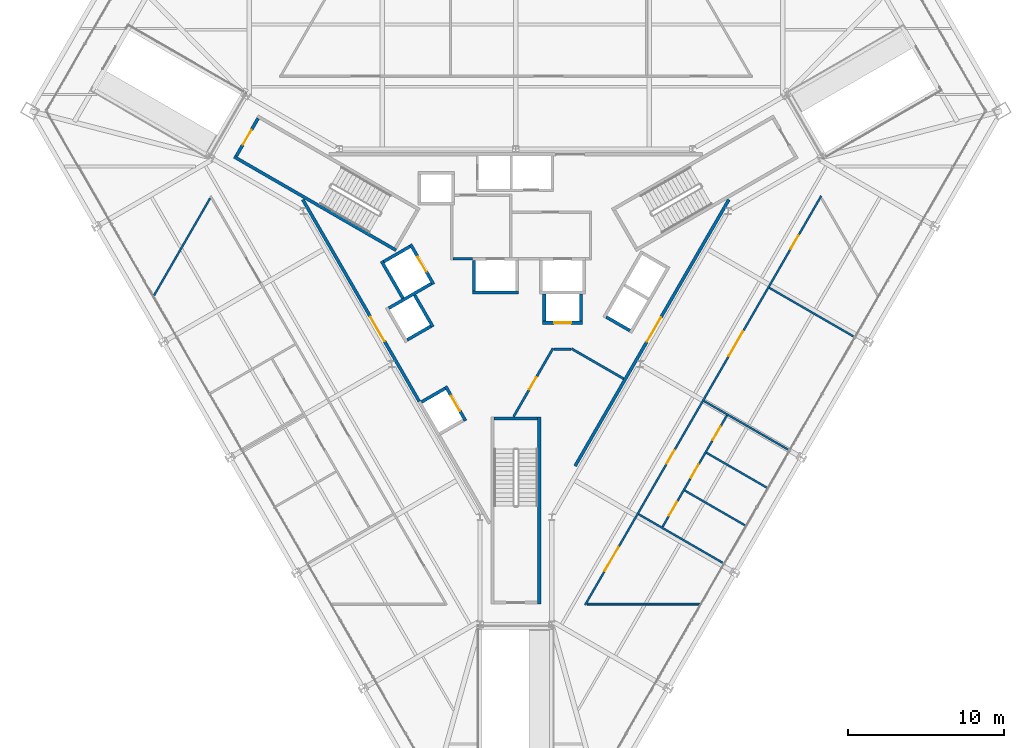
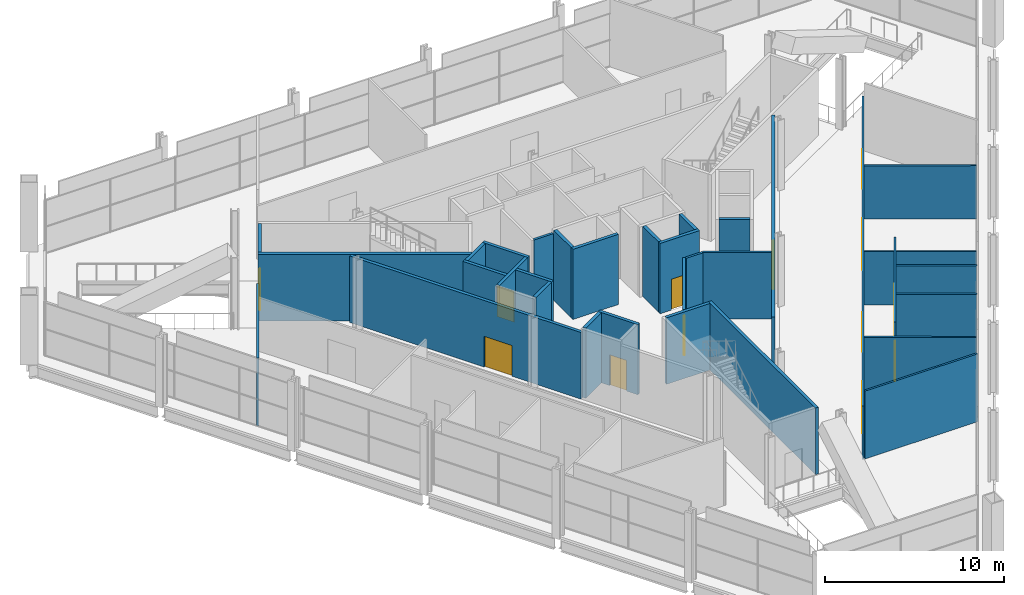
# One storey, part 13 of 18: 33 walls, 14 doors, 14 openings.
"""IFC4 building model written with IfcOpenShell, lengths in metres."""

from ifc_helpers import new_model, si_unit, direction, frame, frame_2d, origin, place, context, subcontext, project, spatial, rectangle, extrude, material, layer, layer_set, type_object, element, fill, save


model = new_model("IFC4")

# Units and contexts
model_context = context("Model", 3, precision=1e-05, world=origin(), true_north=direction((0.0, 1.0)))
body_context = subcontext(model_context, "Body", "Model", "MODEL_VIEW")
ifc_project = project(units=[si_unit("LENGTHUNIT", "METRE"), si_unit("AREAUNIT", "SQUARE_METRE"), si_unit("VOLUMEUNIT", "CUBIC_METRE"), si_unit("PLANEANGLEUNIT", "RADIAN"), si_unit("MASSUNIT", "GRAM", prefix="KILO")], contexts=[model_context])

# Site, building, storey
site_placement = place(None, origin())
site = spatial("IfcSite", under=ifc_project, at=site_placement, CompositionType="ELEMENT")
building_placement = place(site_placement, origin())
building = spatial("IfcBuilding", under=site, at=building_placement, Name="Verrane Prism Tower", CompositionType="ELEMENT")
storey_placement = place(building_placement, frame((0.0, 0.0, 27.199951171875)))
storey = spatial("IfcBuildingStorey", under=building, at=storey_placement, Name="L04", CompositionType="ELEMENT", Elevation=27.199951171875)

# Walls
ifc_material_1 = material(Name="Gypsum board partition", Category="other")
ifc_layer_1 = layer(ifc_material_1, 0.125)
ifc_layer_set_1 = layer_set([ifc_layer_1], Name="BW-125 demising wall 1 h")
wall_type_1 = type_object("IfcWallType", Name="BW-125 demising wall 1 h", PredefinedType="PARTITIONING", material=ifc_layer_set_1)
wall_1_placement = place(storey_placement, frame((16.257080078125, 0.292724609375, 0.0), z_axis=(0.0, 0.0, 1.0), x_axis=(0.866118237319, -0.499839173118, 0.0)))
element("IfcWall", 1, at=wall_1_placement, inside=storey, type_object=wall_type_1, Name="Demising wall 021", PredefinedType="PARTITIONING", context=body_context, shape_type="SweptSolid", body=[
    extrude(rectangle(XDim=6.33740234375, YDim=0.125, at=frame_2d((3.168701171875, 0.0))), origin(), (0.0, 0.0, 1.0), 3.653076171875),
])
ifc_material_2 = material(Name="Gypsum board partition", Category="other")
ifc_layer_2 = layer(ifc_material_2, 0.125)
ifc_layer_set_2 = layer_set([ifc_layer_2], Name="BW-125 plumbing wall")
wall_type_2 = type_object("IfcWallType", Name="BW-125 plumbing wall", PredefinedType="PARTITIONING", material=ifc_layer_set_2)
wall_2_placement = place(storey_placement, frame((7.875244140625, -14.226318359375, 0.0), z_axis=(0.0, 0.0, 1.0), x_axis=(0.866003371142, -0.500038159714, 0.0)))
element("IfcWall", 2, at=wall_2_placement, inside=storey, type_object=wall_type_2, Name="Plumbing wall 014", PredefinedType="PARTITIONING", context=body_context, shape_type="SweptSolid", body=[
    extrude(rectangle(XDim=6.3369140625, YDim=0.125, at=frame_2d((3.16845703125, 0.0))), origin(), (0.0, 0.0, 1.0), 3.653076171875),
])

# Wall, openings, doors
wall_3_placement = place(storey_placement, frame((13.539794921875, -7.88916015625, 0.0), z_axis=(0.0, 0.0, 1.0), x_axis=(-0.500033134207, -0.866006272896, 0.0)))
wall_3 = element("IfcWall", 3, at=wall_3_placement, inside=storey, type_object=wall_type_2, Name="Plumbing wall 016", PredefinedType="PARTITIONING", context=body_context, shape_type="SweptSolid", body=[
    extrude(rectangle(XDim=8.25341796875, YDim=0.125, at=frame_2d((4.126708984375, 0.0))), origin(), (0.0, 0.0, 1.0), 4.64013671875),
])
opening_1_placement = place(wall_3_placement, frame((6.4208984375, 0.0, 0.0)))
opening_1 = element("IfcOpeningElement", 4, at=opening_1_placement, cuts=wall_3, Name="Opening D04012", PredefinedType="OPENING", context=body_context, shape_type="SweptSolid", body=[
    extrude(rectangle(XDim=1.0, YDim=2.10009765625, at=frame_2d((0.5, 1.050048828125))), frame((0.0, 0.072509765625, 0.0), z_axis=(0.0, -1.0, 0.0), x_axis=(1.0, 0.0, 0.0)), (0.0, 0.0, 1.0), 0.14501953125),
])
opening_2_placement = place(wall_3_placement, frame((3.626953125, 0.0, 0.0)))
opening_2 = element("IfcOpeningElement", 5, at=opening_2_placement, cuts=wall_3, Name="Opening D04013", PredefinedType="OPENING", context=body_context, shape_type="SweptSolid", body=[
    extrude(rectangle(XDim=1.0, YDim=2.10009765625, at=frame_2d((0.5, 1.050048828125))), frame((0.0, 0.072509765625, 0.0), z_axis=(0.0, -1.0, 0.0), x_axis=(1.0, 0.0, 0.0)), (0.0, 0.0, 1.0), 0.14501953125),
])
opening_3_placement = place(wall_3_placement, frame((0.831787109375, 0.0, 0.0)))
opening_3 = element("IfcOpeningElement", 6, at=opening_3_placement, cuts=wall_3, Name="Opening D04014", PredefinedType="OPENING", context=body_context, shape_type="SweptSolid", body=[
    extrude(rectangle(XDim=1.0, YDim=2.10009765625, at=frame_2d((0.5, 1.050048828125))), frame((0.0, 0.072509765625, 0.0), z_axis=(0.0, -1.0, 0.0), x_axis=(1.0, 0.0, 0.0)), (0.0, 0.0, 1.0), 0.14501953125),
])
ifc_material_3 = material(Name="Timber veneered door leaf", Category="wood")
door_type_1 = type_object("IfcDoorType", Name="DR-1000x2100 single leaf room", OperationType="NOTDEFINED", PredefinedType="DOOR", material=ifc_material_3)
door_1_placement = place(opening_1_placement, origin())
door_1 = element("IfcDoor", 7, at=door_1_placement, inside=storey, type_object=door_type_1, Name="Door Men's WC 04SE", OperationType="SINGLE_SWING_LEFT", OverallHeight=2.10009765625, OverallWidth=1.0, PredefinedType="DOOR", context=body_context, shape_type="SweptSolid", body=[
    extrude(rectangle(XDim=1.0, YDim=2.10009765625, at=frame_2d((0.5, 1.050048828125))), frame((0.0, 0.02490234375, 0.0), z_axis=(0.0, -1.0, 0.0), x_axis=(1.0, 0.0, 0.0)), (0.0, 0.0, 1.0), 0.050048828125),
])
fill(opening_1, door_1)
door_2_placement = place(opening_2_placement, origin())
door_2 = element("IfcDoor", 8, at=door_2_placement, inside=storey, type_object=door_type_1, Name="Door Women's WC 04SE", OperationType="SINGLE_SWING_RIGHT", OverallHeight=2.10009765625, OverallWidth=1.0, PredefinedType="DOOR", context=body_context, shape_type="SweptSolid", body=[
    extrude(rectangle(XDim=1.0, YDim=2.10009765625, at=frame_2d((0.5, 1.050048828125))), frame((0.0, 0.02490234375, 0.0), z_axis=(0.0, -1.0, 0.0), x_axis=(1.0, 0.0, 0.0)), (0.0, 0.0, 1.0), 0.050048828125),
])
fill(opening_2, door_2)
door_3_placement = place(opening_3_placement, origin())
door_3 = element("IfcDoor", 9, at=door_3_placement, inside=storey, type_object=door_type_1, Name="Door Accessible WC 04SE", OperationType="SINGLE_SWING_LEFT", OverallHeight=2.10009765625, OverallWidth=1.0, PredefinedType="DOOR", context=body_context, shape_type="SweptSolid", body=[
    extrude(rectangle(XDim=1.0, YDim=2.10009765625, at=frame_2d((0.5, 1.050048828125))), frame((0.0, 0.02490234375, 0.0), z_axis=(0.0, -1.0, 0.0), x_axis=(1.0, 0.0, 0.0)), (0.0, 0.0, 1.0), 0.050048828125),
])
fill(opening_3, door_3)

# Walls
wall_4_placement = place(storey_placement, frame((10.83447265625, -12.708740234375, 0.0), z_axis=(0.0, 0.0, 1.0), x_axis=(0.866030417568, -0.499991315771, 0.0)))
element("IfcWall", 10, at=wall_4_placement, inside=storey, type_object=wall_type_2, Name="Plumbing wall 017", PredefinedType="PARTITIONING", context=body_context, shape_type="SweptSolid", body=[
    extrude(rectangle(XDim=4.53271484375, YDim=0.125, at=frame_2d((2.266357421875, 0.0))), origin(), (0.0, 0.0, 1.0), 4.64013671875),
])
wall_5_placement = place(storey_placement, frame((12.066162109375, -6.96630859375, 0.0), z_axis=(0.0, 0.0, 1.0), x_axis=(0.86604189602, -0.499971433522, 0.0)))
element("IfcWall", 11, at=wall_5_placement, inside=storey, type_object=wall_type_2, Name="Plumbing wall 019", PredefinedType="PARTITIONING", context=body_context, shape_type="SweptSolid", body=[
    extrude(rectangle(XDim=6.337646484375, YDim=0.125, at=frame_2d((3.1689453125, 0.0))), origin(), (0.0, 0.0, 1.0), 3.653076171875),
])
wall_6_placement = place(storey_placement, frame((12.22802734375, -10.286376953125, 0.0), z_axis=(0.0, 0.0, 1.0), x_axis=(0.866009042838, -0.50002833692, 0.0)))
element("IfcWall", 12, at=wall_6_placement, inside=storey, type_object=wall_type_2, Name="Plumbing wall 020", PredefinedType="PARTITIONING", context=body_context, shape_type="SweptSolid", body=[
    extrude(rectangle(XDim=4.536865234375, YDim=0.125, at=frame_2d((2.2685546875, 0.0))), origin(), (0.0, 0.0, 1.0), 4.64013671875),
])
ifc_material_4 = material(Name="Gypsum board partition", Category="other")
ifc_layer_3 = layer(ifc_material_4, 0.125)
ifc_layer_set_3 = layer_set([ifc_layer_3], Name="BW-125 shopfront wall 1 h")
wall_type_3 = type_object("IfcWallType", Name="BW-125 shopfront wall 1 h", PredefinedType="PARTITIONING", material=ifc_layer_set_3)
wall_7_placement = place(storey_placement, frame((-23.25, -0.27001953125, 0.0), z_axis=(0.0, 0.0, 1.0), x_axis=(0.500002873931, 0.866023744513, 0.0)))
element("IfcWall", 13, at=wall_7_placement, inside=storey, type_object=wall_type_3, Name="Shopfront wall 001", PredefinedType="PARTITIONING", context=body_context, shape_type="SweptSolid", body=[
    extrude(rectangle(XDim=7.28515625, YDim=0.125, at=frame_2d((3.642578125, 0.0))), origin(), (0.0, 0.0, 1.0), 4.64013671875),
])
wall_8_placement = place(storey_placement, frame((4.573974609375, -20.0, 0.0), z_axis=(0.0, 0.0, 1.0), x_axis=(1.0, 0.0, 0.0)))
element("IfcWall", 14, at=wall_8_placement, inside=storey, type_object=wall_type_3, Name="Shopfront wall 012", PredefinedType="PARTITIONING", context=body_context, shape_type="SweptSolid", body=[
    extrude(rectangle(XDim=7.284912109375, YDim=0.125, at=frame_2d((3.642578125, 0.0))), origin(), (0.0, 0.0, 1.0), 4.64013671875),
])

# Wall, openings, doors
wall_9_placement = place(storey_placement, frame((19.586181640625, 6.18408203125, 0.0), z_axis=(0.0, 0.0, 1.0), x_axis=(-0.499994028088, -0.866028851642, 0.0)))
wall_9 = element("IfcWall", 15, at=wall_9_placement, inside=storey, type_object=wall_type_3, Name="Shopfront wall 013", PredefinedType="PARTITIONING", context=body_context, shape_type="SweptSolid", body=[
    extrude(rectangle(XDim=30.297119140625, YDim=0.125, at=frame_2d((15.1484375, 0.0))), origin(), (0.0, 0.0, 1.0), 3.653076171875),
])
opening_4_placement = place(wall_9_placement, frame((25.98486328125, 0.0, 0.0)))
opening_4 = element("IfcOpeningElement", 16, at=opening_4_placement, cuts=wall_9, Name="Opening D04010", PredefinedType="OPENING", context=body_context, shape_type="SweptSolid", body=[
    extrude(rectangle(XDim=1.800048828125, YDim=2.39990234375, at=frame_2d((0.89990234375, 1.199951171875))), frame((0.0, 0.072509765625, 0.0), z_axis=(0.0, -1.0, 0.0), x_axis=(1.0, 0.0, 0.0)), (0.0, 0.0, 1.0), 0.14501953125),
])
opening_5_placement = place(wall_9_placement, frame((18.831787109375, 0.0, 0.0)))
opening_5 = element("IfcOpeningElement", 17, at=opening_5_placement, cuts=wall_9, Name="Opening D04011", PredefinedType="OPENING", context=body_context, shape_type="SweptSolid", body=[
    extrude(rectangle(XDim=1.0, YDim=2.10009765625, at=frame_2d((0.5, 1.050048828125))), frame((0.0, 0.072509765625, 0.0), z_axis=(0.0, -1.0, 0.0), x_axis=(1.0, 0.0, 0.0)), (0.0, 0.0, 1.0), 0.14501953125),
])
opening_6_placement = place(wall_9_placement, frame((10.048828125, 0.0, 0.0)))
opening_6 = element("IfcOpeningElement", 18, at=opening_6_placement, cuts=wall_9, Name="Opening D04015", PredefinedType="OPENING", context=body_context, shape_type="SweptSolid", body=[
    extrude(rectangle(XDim=1.800048828125, YDim=2.39990234375, at=frame_2d((0.89990234375, 1.199951171875))), frame((0.0, 0.072509765625, 0.0), z_axis=(0.0, -1.0, 0.0), x_axis=(1.0, 0.0, 0.0)), (0.0, 0.0, 1.0), 0.14501953125),
])
opening_7_placement = place(wall_9_placement, frame((2.916748046875, 0.0, 0.0)))
opening_7 = element("IfcOpeningElement", 19, at=opening_7_placement, cuts=wall_9, Name="Opening D04016", PredefinedType="OPENING", context=body_context, shape_type="SweptSolid", body=[
    extrude(rectangle(XDim=1.0, YDim=2.10009765625, at=frame_2d((0.5, 1.050048828125))), frame((0.0, 0.072509765625, 0.0), z_axis=(0.0, -1.0, 0.0), x_axis=(1.0, 0.0, 0.0)), (0.0, 0.0, 1.0), 0.14501953125),
])
ifc_material_5 = material(Name="Timber veneered door leaf", Category="wood")
door_type_2 = type_object("IfcDoorType", Name="DR-1000x2100 FD20 single leaf shopfront", OperationType="NOTDEFINED", PredefinedType="DOOR", material=ifc_material_5)
door_4_placement = place(opening_7_placement, origin())
door_4 = element("IfcDoor", 20, at=door_4_placement, inside=storey, type_object=door_type_2, Name="Door Store Room 0408", OperationType="SINGLE_SWING_LEFT", OverallHeight=2.10009765625, OverallWidth=1.0, PredefinedType="DOOR", context=body_context, shape_type="SweptSolid", body=[
    extrude(rectangle(XDim=1.0, YDim=2.10009765625, at=frame_2d((0.5, 1.050048828125))), frame((0.0, 0.02490234375, 0.0), z_axis=(0.0, -1.0, 0.0), x_axis=(1.0, 0.0, 0.0)), (0.0, 0.0, 1.0), 0.050048828125),
])
fill(opening_7, door_4)
ifc_material_6 = material(Name="Timber veneered door leaf", Category="wood")
door_type_3 = type_object("IfcDoorType", Name="DR-1000x2100 FD20 single leaf wc lobby", OperationType="NOTDEFINED", PredefinedType="DOOR", material=ifc_material_6)
door_5_placement = place(opening_5_placement, origin())
door_5 = element("IfcDoor", 21, at=door_5_placement, inside=storey, type_object=door_type_3, Name="Door WC Lobby 04SE", OperationType="SINGLE_SWING_RIGHT", OverallHeight=2.10009765625, OverallWidth=1.0, PredefinedType="DOOR", context=body_context, shape_type="SweptSolid", body=[
    extrude(rectangle(XDim=1.0, YDim=2.10009765625, at=frame_2d((0.5, 1.050048828125))), frame((0.0, 0.02490234375, 0.0), z_axis=(0.0, -1.0, 0.0), x_axis=(1.0, 0.0, 0.0)), (0.0, 0.0, 1.0), 0.050048828125),
])
fill(opening_5, door_5)
ifc_material_7 = material(Name="Aluminium and glass door leaf", Category="aluminium")
door_type_4 = type_object("IfcDoorType", Name="DR-1800x2400 FD20 double leaf shopfront", OperationType="NOTDEFINED", PredefinedType="DOOR", material=ifc_material_7)
door_6_placement = place(opening_4_placement, origin())
door_6 = element("IfcDoor", 22, at=door_6_placement, inside=storey, type_object=door_type_4, Name="Door Restaurant 0406", OperationType="DOUBLE_DOOR_SINGLE_SWING", OverallHeight=2.39990234375, OverallWidth=1.800048828125, PredefinedType="DOOR", context=body_context, shape_type="SweptSolid", body=[
    extrude(rectangle(XDim=1.800048828125, YDim=2.39990234375, at=frame_2d((0.89990234375, 1.199951171875))), frame((0.0, 0.02490234375, 0.0), z_axis=(0.0, -1.0, 0.0), x_axis=(1.0, 0.0, 0.0)), (0.0, 0.0, 1.0), 0.050048828125),
])
fill(opening_4, door_6)
door_7_placement = place(opening_6_placement, origin())
door_7 = element("IfcDoor", 23, at=door_7_placement, inside=storey, type_object=door_type_4, Name="Door Restaurant 0407", OperationType="DOUBLE_DOOR_SINGLE_SWING", OverallHeight=2.39990234375, OverallWidth=1.800048828125, PredefinedType="DOOR", context=body_context, shape_type="SweptSolid", body=[
    extrude(rectangle(XDim=1.800048828125, YDim=2.39990234375, at=frame_2d((0.89990234375, 1.199951171875))), frame((0.0, 0.02490234375, 0.0), z_axis=(0.0, -1.0, 0.0), x_axis=(1.0, 0.0, 0.0)), (0.0, 0.0, 1.0), 0.050048828125),
])
fill(opening_6, door_7)

# Wall, opening, door
ifc_material_8 = material(Name="Gypsum board partition", Category="other")
ifc_layer_4 = layer(ifc_material_8, 0.199951171875)
ifc_layer_set_4 = layer_set([ifc_layer_4], Name="CW-200 core boundary wall 2 h")
wall_type_4 = type_object("IfcWallType", Name="CW-200 core boundary wall 2 h", PredefinedType="PARTITIONING", material=ifc_layer_set_4)
wall_10_placement = place(storey_placement, frame((-13.666015625, 5.950439453125, 0.0), z_axis=(0.0, 0.0, 1.0), x_axis=(0.499971736997, -0.866041720822, 0.0)))
wall_10 = element("IfcWall", 24, at=wall_10_placement, inside=storey, type_object=wall_type_4, Name="Core boundary wall CW3-001", PredefinedType="PARTITIONING", context=body_context, shape_type="SweptSolid", body=[
    extrude(rectangle(XDim=14.948974609375, YDim=0.199951171875, at=frame_2d((7.474609375, 0.0))), origin(), (0.0, 0.0, 1.0), 4.550048828125),
])
opening_8_placement = place(wall_10_placement, frame((8.68994140625, 0.0, 0.0)))
opening_8 = element("IfcOpeningElement", 25, at=opening_8_placement, cuts=wall_10, Name="Opening D04508", PredefinedType="OPENING", context=body_context, shape_type="SweptSolid", body=[
    extrude(rectangle(XDim=1.800048828125, YDim=2.10009765625, at=frame_2d((0.89990234375, 1.050048828125))), frame((0.0, 0.10986328125, 0.0), z_axis=(0.0, -1.0, 0.0), x_axis=(1.0, 0.0, 0.0)), (0.0, 0.0, 1.0), 0.219970703125),
])
ifc_material_9 = material(Name="Timber veneered door leaf", Category="wood")
door_type_5 = type_object("IfcDoorType", Name="DR-1800x2100 FD60 double leaf lift lobby", OperationType="NOTDEFINED", PredefinedType="DOOR", material=ifc_material_9)
door_8_placement = place(opening_8_placement, origin())
door_8 = element("IfcDoor", 26, at=door_8_placement, inside=storey, type_object=door_type_5, Name="Lift lobby door D04508", OperationType="DOUBLE_DOOR_SINGLE_SWING", OverallHeight=2.10009765625, OverallWidth=1.800048828125, PredefinedType="DOOR", context=body_context, shape_type="SweptSolid", body=[
    extrude(rectangle(XDim=1.800048828125, YDim=2.10009765625, at=frame_2d((0.89990234375, 1.050048828125))), frame((0.0, 0.02490234375, 0.0), z_axis=(0.0, -1.0, 0.0), x_axis=(1.0, 0.0, 0.0)), (0.0, 0.0, 1.0), 0.050048828125),
])
fill(opening_8, door_8)

wall_11_placement = place(storey_placement, frame((3.802978515625, -11.133056640625, 0.0), z_axis=(0.0, 0.0, 1.0), x_axis=(0.499995287022, 0.866028124807, 0.0)))
wall_11 = element("IfcWall", 27, at=wall_11_placement, inside=storey, type_object=wall_type_4, Name="Core boundary wall CW3-004", PredefinedType="PARTITIONING", context=body_context, shape_type="SweptSolid", body=[
    extrude(rectangle(XDim=19.726318359375, YDim=0.199951171875, at=frame_2d((9.86328125, 0.0))), origin(), (0.0, 0.0, 1.0), 4.550048828125),
])
opening_9_placement = place(wall_11_placement, frame((9.199951171875, 0.0, 0.0)))
opening_9 = element("IfcOpeningElement", 28, at=opening_9_placement, cuts=wall_11, Name="Opening D04515", PredefinedType="OPENING", context=body_context, shape_type="SweptSolid", body=[
    extrude(rectangle(XDim=1.800048828125, YDim=2.10009765625, at=frame_2d((0.89990234375, 1.050048828125))), frame((0.0, 0.10986328125, 0.0), z_axis=(0.0, -1.0, 0.0), x_axis=(1.0, 0.0, 0.0)), (0.0, 0.0, 1.0), 0.219970703125),
])
door_9_placement = place(opening_9_placement, origin())
door_9 = element("IfcDoor", 29, at=door_9_placement, inside=storey, type_object=door_type_5, Name="Lift lobby door D04515", OperationType="DOUBLE_DOOR_SINGLE_SWING", OverallHeight=2.10009765625, OverallWidth=1.800048828125, PredefinedType="DOOR", context=body_context, shape_type="SweptSolid", body=[
    extrude(rectangle(XDim=1.800048828125, YDim=2.10009765625, at=frame_2d((0.89990234375, 1.050048828125))), frame((0.0, 0.02490234375, 0.0), z_axis=(0.0, -1.0, 0.0), x_axis=(1.0, 0.0, 0.0)), (0.0, 0.0, 1.0), 0.050048828125),
])
fill(opening_9, door_9)

ifc_material_10 = material(Name="Concrete C40/50", Category="concrete")
ifc_layer_5 = layer(ifc_material_10, 0.199951171875)
ifc_layer_set_5 = layer_set([ifc_layer_5], Name="CW-200 stair core wall concrete C40/50 3 h")
wall_type_5 = type_object("IfcWallType", Name="CW-200 stair core wall concrete C40/50 3 h", PredefinedType="PARTITIONING", material=ifc_layer_set_5)
wall_12_placement = place(storey_placement, frame((-16.533935546875, 11.162353515625, 0.0), z_axis=(0.0, 0.0, 1.0), x_axis=(-0.49998411664, -0.866034573852, 0.0)))
wall_12 = element("IfcWall", 30, at=wall_12_placement, inside=storey, type_object=wall_type_5, Name="Stair 2 enclosure wall", PredefinedType="PARTITIONING", context=body_context, shape_type="SweptSolid", body=[
    extrude(rectangle(XDim=2.7998046875, YDim=0.199951171875, at=frame_2d((1.39990234375, 0.0))), origin(), (0.0, 0.0, 1.0), 4.550048828125),
])
opening_10_placement = place(wall_12_placement, frame((0.849853515625, 0.0, 0.0)))
opening_10 = element("IfcOpeningElement", 31, at=opening_10_placement, cuts=wall_12, Name="Opening D04501", PredefinedType="OPENING", context=body_context, shape_type="SweptSolid", body=[
    extrude(rectangle(XDim=1.10009765625, YDim=2.10009765625, at=frame_2d((0.550048828125, 1.050048828125))), frame((0.0, 0.10986328125, 0.0), z_axis=(0.0, -1.0, 0.0), x_axis=(1.0, 0.0, 0.0)), (0.0, 0.0, 1.0), 0.219970703125),
])
ifc_material_11 = material(Name="Timber veneered door leaf", Category="wood")
door_type_6 = type_object("IfcDoorType", Name="DR-1100x2100 FD90 single leaf stair", OperationType="NOTDEFINED", PredefinedType="DOOR", material=ifc_material_11)
door_10_placement = place(opening_10_placement, origin())
door_10 = element("IfcDoor", 32, at=door_10_placement, inside=storey, type_object=door_type_6, Name="Stair 2 door", OperationType="SINGLE_SWING_RIGHT", OverallHeight=2.10009765625, OverallWidth=1.10009765625, PredefinedType="DOOR", context=body_context, shape_type="SweptSolid", body=[
    extrude(rectangle(XDim=1.10009765625, YDim=2.10009765625, at=frame_2d((0.550048828125, 1.050048828125))), frame((0.0, 0.02490234375, 0.0), z_axis=(0.0, -1.0, 0.0), x_axis=(1.0, 0.0, 0.0)), (0.0, 0.0, 1.0), 0.050048828125),
])
fill(opening_10, door_10)

# Walls
for number, where, z_axis, x_axis, name in (
    (33, (-7.67822265625, 2.700927734375, 0.0), (0.0, 0.0, 1.0), (-0.866026010844, 0.49999894854, 0.0), "Stair 2 enclosure wall"),
    (34, (1.5, -8.0, 0.0), (0.0, 0.0, 1.0), (0.0, -1.0, 0.0), "Stair 3 enclosure wall"),
):
    element("IfcWall", number, at=place(storey_placement, frame(where, z_axis=z_axis, x_axis=x_axis)), inside=storey, type_object=wall_type_5, Name=name, PredefinedType="PARTITIONING", context=body_context, shape_type="SweptSolid", body=[
        extrude(rectangle(XDim=12.0, YDim=0.199951171875, at=frame_2d((6.0, 0.0))), origin(), (0.0, 0.0, 1.0), 4.550048828125),
    ])
wall_13_placement = place(storey_placement, frame((-1.39990234375, -8.10009765625, 0.0), z_axis=(0.0, 0.0, 1.0), x_axis=(1.0, 0.0, 0.0)))
element("IfcWall", 35, at=wall_13_placement, inside=storey, type_object=wall_type_5, Name="Stair 3 enclosure wall", PredefinedType="PARTITIONING", context=body_context, shape_type="SweptSolid", body=[
    extrude(rectangle(XDim=2.7998046875, YDim=0.199951171875, at=frame_2d((1.39990234375, 0.0))), origin(), (0.0, 0.0, 1.0), 4.550048828125),
])

# Wall, opening, door
ifc_material_12 = material(Name="Gypsum board shaft wall assembly", Category="other")
ifc_layer_6 = layer(ifc_material_12, 0.199951171875)
ifc_layer_set_6 = layer_set([ifc_layer_6], Name="HW-200 lift shaft wall 2 h")
wall_type_6 = type_object("IfcWallType", Name="HW-200 lift shaft wall 2 h", PredefinedType="PARTITIONING", material=ifc_layer_set_6)
wall_14_placement = place(storey_placement, frame((1.72509765625, -1.949951171875, 0.0), z_axis=(0.0, 0.0, 1.0), x_axis=(1.0, 0.0, 0.0)))
wall_14 = element("IfcWall", 36, at=wall_14_placement, inside=storey, type_object=wall_type_6, Name="Lift shaft wall", PredefinedType="PARTITIONING", context=body_context, shape_type="SweptSolid", body=[
    extrude(rectangle(XDim=2.5498046875, YDim=0.199951171875, at=frame_2d((1.27490234375, 0.0))), origin(), (0.0, 0.0, 1.0), 4.800048828125),
])
opening_11_placement = place(wall_14_placement, frame((0.72509765625, 0.0, 0.0)))
opening_11 = element("IfcOpeningElement", 37, at=opening_11_placement, cuts=wall_14, Name="Opening D04507", PredefinedType="OPENING", context=body_context, shape_type="SweptSolid", body=[
    extrude(rectangle(XDim=1.10009765625, YDim=2.10009765625, at=frame_2d((0.550048828125, 1.050048828125))), frame((0.0, 0.10986328125, 0.0), z_axis=(0.0, -1.0, 0.0), x_axis=(1.0, 0.0, 0.0)), (0.0, 0.0, 1.0), 0.219970703125),
])
ifc_material_13 = material(Name="Stainless steel sliding landing door", Category="steel")
door_type_7 = type_object("IfcDoorType", Name="LD-1100x2100 lift landing door FD90 sliding", OperationType="NOTDEFINED", PredefinedType="DOOR", material=ifc_material_13)
door_11_placement = place(opening_11_placement, origin())
door_11 = element("IfcDoor", 38, at=door_11_placement, inside=storey, type_object=door_type_7, Name="Retail lift 2 landing door", OperationType="SLIDING_TO_RIGHT", OverallHeight=2.10009765625, OverallWidth=1.10009765625, PredefinedType="DOOR", context=body_context, shape_type="SweptSolid", body=[
    extrude(rectangle(XDim=1.10009765625, YDim=2.10009765625, at=frame_2d((0.550048828125, 1.050048828125))), frame((0.0, 0.02490234375, 0.0), z_axis=(0.0, -1.0, 0.0), x_axis=(1.0, 0.0, 0.0)), (0.0, 0.0, 1.0), 0.050048828125),
])
fill(opening_11, door_11)

# Walls
wall_15_placement = place(storey_placement, frame((-2.784912109375, 0.0, 0.0), z_axis=(0.0, 0.0, 1.0), x_axis=(1.0, 0.0, 0.0)))
element("IfcWall", 39, at=wall_15_placement, inside=storey, type_object=wall_type_6, Name="Lift shaft wall", PredefinedType="PARTITIONING", context=body_context, shape_type="SweptSolid", body=[
    extrude(rectangle(XDim=2.949951171875, YDim=0.199951171875, at=frame_2d((1.47509765625, 0.0))), origin(), (0.0, 0.0, 1.0), 4.800048828125),
])
for number, where, z_axis, x_axis, name in (
    (40, (-6.053955078125, -7.034423828125, 0.0), (0.0, 0.0, 1.0), (0.866036909293, 0.499980071345, 0.0), "Lift shaft wall"),
    (41, (-6.9697265625, -3.048095703125, 0.0), (0.0, 0.0, 1.0), (0.866036909293, 0.499980071345, 0.0), "Lift shaft wall"),
):
    element("IfcWall", number, at=place(storey_placement, frame(where, z_axis=z_axis, x_axis=x_axis)), inside=storey, type_object=wall_type_6, Name=name, PredefinedType="PARTITIONING", context=body_context, shape_type="SweptSolid", body=[
        extrude(rectangle(XDim=1.75, YDim=0.199951171875, at=frame_2d((0.875, 0.0))), origin(), (0.0, 0.0, 1.0), 4.800048828125),
    ])
wall_16_placement = place(storey_placement, frame((-8.14453125, -1.012939453125, 0.0), z_axis=(0.0, 0.0, 1.0), x_axis=(0.866016494683, 0.500015430699, 0.0)))
element("IfcWall", 42, at=wall_16_placement, inside=storey, type_object=wall_type_6, Name="Lift shaft wall", PredefinedType="PARTITIONING", context=body_context, shape_type="SweptSolid", body=[
    extrude(rectangle(XDim=3.14990234375, YDim=0.199951171875, at=frame_2d((1.574951171875, 0.0))), origin(), (0.0, 0.0, 1.0), 4.800048828125),
])
wall_17_placement = place(storey_placement, frame((-8.48046875, 1.968505859375, 0.0), z_axis=(0.0, 0.0, 1.0), x_axis=(0.866000020948, 0.500043961785, 0.0)))
element("IfcWall", 43, at=wall_17_placement, inside=storey, type_object=wall_type_6, Name="Lift shaft wall", PredefinedType="PARTITIONING", context=body_context, shape_type="SweptSolid", body=[
    extrude(rectangle(XDim=1.949951171875, YDim=0.199951171875, at=frame_2d((0.97509765625, 0.0))), origin(), (0.0, 0.0, 1.0), 4.800048828125),
])
for number, where, z_axis, x_axis, name in (
    (44, (4.175048828125, -1.85009765625, 0.0), (0.0, 0.0, 1.0), (0.0, 1.0, 0.0), "Lift shaft wall"),
    (45, (1.824951171875, -1.85009765625, 0.0), (0.0, 0.0, 1.0), (0.0, 1.0, 0.0), "Lift shaft wall"),
):
    element("IfcWall", number, at=place(storey_placement, frame(where, z_axis=z_axis, x_axis=x_axis)), inside=storey, type_object=wall_type_6, Name=name, PredefinedType="PARTITIONING", context=body_context, shape_type="SweptSolid", body=[
        extrude(rectangle(XDim=1.75, YDim=0.199951171875, at=frame_2d((0.875, 0.0))), origin(), (0.0, 0.0, 1.0), 4.800048828125),
    ])
wall_18_placement = place(storey_placement, frame((-2.68505859375, 0.10009765625, 0.0), z_axis=(0.0, 0.0, 1.0), x_axis=(0.0, 1.0, 0.0)))
element("IfcWall", 46, at=wall_18_placement, inside=storey, type_object=wall_type_6, Name="Lift shaft wall", PredefinedType="PARTITIONING", context=body_context, shape_type="SweptSolid", body=[
    extrude(rectangle(XDim=1.949951171875, YDim=0.199951171875, at=frame_2d((0.97509765625, 0.0))), origin(), (0.0, 0.0, 1.0), 4.800048828125),
])

# Wall, opening, door
wall_19_placement = place(storey_placement, frame((-5.280029296875, 0.525390625, 0.0), z_axis=(0.0, 0.0, 1.0), x_axis=(-0.500037662692, 0.866003658127, 0.0)))
wall_19 = element("IfcWall", 47, at=wall_19_placement, inside=storey, type_object=wall_type_6, Name="Lift shaft wall", PredefinedType="PARTITIONING", context=body_context, shape_type="SweptSolid", body=[
    extrude(rectangle(XDim=2.949951171875, YDim=0.199951171875, at=frame_2d((1.47509765625, 0.0))), origin(), (0.0, 0.0, 1.0), 4.800048828125),
])
opening_12_placement = place(wall_19_placement, frame((0.925048828125, 0.0, 0.0)))
opening_12 = element("IfcOpeningElement", 48, at=opening_12_placement, cuts=wall_19, Name="Opening D04505", PredefinedType="OPENING", context=body_context, shape_type="SweptSolid", body=[
    extrude(rectangle(XDim=1.10009765625, YDim=2.10009765625, at=frame_2d((0.550048828125, 1.050048828125))), frame((0.0, 0.10986328125, 0.0), z_axis=(0.0, -1.0, 0.0), x_axis=(1.0, 0.0, 0.0)), (0.0, 0.0, 1.0), 0.219970703125),
])
door_12_placement = place(opening_12_placement, origin())
door_12 = element("IfcDoor", 49, at=door_12_placement, inside=storey, type_object=door_type_7, Name="Service lift 1 landing door", OperationType="SLIDING_TO_LEFT", OverallHeight=2.10009765625, OverallWidth=1.10009765625, PredefinedType="DOOR", context=body_context, shape_type="SweptSolid", body=[
    extrude(rectangle(XDim=1.10009765625, YDim=2.10009765625, at=frame_2d((0.550048828125, 1.050048828125))), frame((0.0, 0.02490234375, 0.0), z_axis=(0.0, -1.0, 0.0), x_axis=(1.0, 0.0, 0.0)), (0.0, 0.0, 1.0), 0.050048828125),
])
fill(opening_12, door_12)

# Walls
wall_20_placement = place(storey_placement, frame((-5.317626953125, -2.209716796875, 0.0), z_axis=(0.0, 0.0, 1.0), x_axis=(-0.499938297808, 0.866061024631, 0.0)))
element("IfcWall", 50, at=wall_20_placement, inside=storey, type_object=wall_type_6, Name="Lift shaft wall", PredefinedType="PARTITIONING", context=body_context, shape_type="SweptSolid", body=[
    extrude(rectangle(XDim=2.349853515625, YDim=0.199951171875, at=frame_2d((1.1748046875, 0.0))), origin(), (0.0, 0.0, 1.0), 4.800048828125),
])
wall_21_placement = place(storey_placement, frame((-7.241943359375, -0.37646484375, 0.0), z_axis=(0.0, 0.0, 1.0), x_axis=(-0.499996545922, 0.866027397988, 0.0)))
element("IfcWall", 51, at=wall_21_placement, inside=storey, type_object=wall_type_6, Name="Lift shaft wall", PredefinedType="PARTITIONING", context=body_context, shape_type="SweptSolid", body=[
    extrude(rectangle(XDim=2.75, YDim=0.199951171875, at=frame_2d((1.375, 0.0))), origin(), (0.0, 0.0, 1.0), 4.800048828125),
])

# Wall, opening, door
wall_22_placement = place(storey_placement, frame((-3.226806640625, -8.231201171875, 0.0), z_axis=(0.0, 0.0, 1.0), x_axis=(-0.499948979701, 0.866054858364, 0.0)))
wall_22 = element("IfcWall", 52, at=wall_22_placement, inside=storey, type_object=wall_type_6, Name="Lift shaft wall", PredefinedType="PARTITIONING", context=body_context, shape_type="SweptSolid", body=[
    extrude(rectangle(XDim=2.550048828125, YDim=0.199951171875, at=frame_2d((1.27490234375, 0.0))), origin(), (0.0, 0.0, 1.0), 4.800048828125),
])
opening_13_placement = place(wall_22_placement, frame((0.72509765625, 0.0, 0.0)))
opening_13 = element("IfcOpeningElement", 53, at=opening_13_placement, cuts=wall_22, Name="Opening D04506", PredefinedType="OPENING", context=body_context, shape_type="SweptSolid", body=[
    extrude(rectangle(XDim=1.10009765625, YDim=2.10009765625, at=frame_2d((0.550048828125, 1.050048828125))), frame((0.0, 0.10986328125, 0.0), z_axis=(0.0, -1.0, 0.0), x_axis=(1.0, 0.0, 0.0)), (0.0, 0.0, 1.0), 0.219970703125),
])
door_13_placement = place(opening_13_placement, origin())
door_13 = element("IfcDoor", 54, at=door_13_placement, inside=storey, type_object=door_type_7, Name="Retail lift 1 landing door", OperationType="SLIDING_TO_LEFT", OverallHeight=2.10009765625, OverallWidth=1.10009765625, PredefinedType="DOOR", context=body_context, shape_type="SweptSolid", body=[
    extrude(rectangle(XDim=1.10009765625, YDim=2.10009765625, at=frame_2d((0.550048828125, 1.050048828125))), frame((0.0, 0.02490234375, 0.0), z_axis=(0.0, -1.0, 0.0), x_axis=(1.0, 0.0, 0.0)), (0.0, 0.0, 1.0), 0.050048828125),
])
fill(opening_13, door_13)

# Walls
wall_23_placement = place(storey_placement, frame((7.314697265625, -2.45068359375, 0.0), z_axis=(0.0, 0.0, 1.0), x_axis=(-0.866036909293, 0.499980071345, 0.0)))
element("IfcWall", 55, at=wall_23_placement, inside=storey, type_object=wall_type_6, Name="Lift shaft wall", PredefinedType="PARTITIONING", context=body_context, shape_type="SweptSolid", body=[
    extrude(rectangle(XDim=1.75, YDim=0.199951171875, at=frame_2d((0.875, 0.0))), origin(), (0.0, 0.0, 1.0), 4.800048828125),
])
ifc_material_14 = material(Name="Gypsum board partition", Category="other")
ifc_layer_7 = layer(ifc_material_14, 0.14990234375)
ifc_layer_set_7 = layer_set([ifc_layer_7], Name="LF-150 firefighting lobby wall 1 h")
wall_type_7 = type_object("IfcWallType", Name="LF-150 firefighting lobby wall 1 h", PredefinedType="PARTITIONING", material=ifc_layer_set_7)
wall_24_placement = place(storey_placement, frame((-4.02490234375, 2.159912109375, 0.0), z_axis=(0.0, 0.0, 1.0), x_axis=(1.0, 0.0, 0.0)))
element("IfcWall", 56, at=wall_24_placement, inside=storey, type_object=wall_type_7, Name="Firefighting lobby wall LF1-002", PredefinedType="PARTITIONING", context=body_context, shape_type="SweptSolid", body=[
    extrude(rectangle(XDim=1.23779296875, YDim=0.14990234375, at=frame_2d((0.618896484375, 0.0))), origin(), (0.0, 0.0, 1.0), 4.550048828125),
])

# Wall, opening, door
ifc_material_15 = material(Name="Gypsum board partition", Category="other")
ifc_layer_8 = layer(ifc_material_15, 0.14990234375)
ifc_layer_set_8 = layer_set([ifc_layer_8], Name="RS-150 riser enclosure wall 1 h")
wall_type_8 = type_object("IfcWallType", Name="RS-150 riser enclosure wall 1 h", PredefinedType="PARTITIONING", material=ifc_layer_set_8)
wall_25_placement = place(storey_placement, frame((2.387451171875, -3.5849609375, 0.0), z_axis=(0.0, 0.0, 1.0), x_axis=(-0.500064700545, -0.865988045685, 0.0)))
wall_25 = element("IfcWall", 57, at=wall_25_placement, inside=storey, type_object=wall_type_8, Name="Riser wall RS3-004", PredefinedType="PARTITIONING", context=body_context, shape_type="SweptSolid", body=[
    extrude(rectangle(XDim=5.063232421875, YDim=0.14990234375, at=frame_2d((2.53173828125, 0.0))), origin(), (0.0, 0.0, 1.0), 4.550048828125),
])
opening_14_placement = place(wall_25_placement, frame((2.148193359375, 0.0, 0.0)))
opening_14 = element("IfcOpeningElement", 58, at=opening_14_placement, cuts=wall_25, Name="Opening D04514", PredefinedType="OPENING", context=body_context, shape_type="SweptSolid", body=[
    extrude(rectangle(XDim=0.89990234375, YDim=2.10009765625, at=frame_2d((0.449951171875, 1.050048828125))), frame((0.0, 0.0849609375, 0.0), z_axis=(0.0, -1.0, 0.0), x_axis=(1.0, 0.0, 0.0)), (0.0, 0.0, 1.0), 0.169921875),
])
ifc_material_16 = material(Name="Timber veneered door leaf", Category="wood")
door_type_8 = type_object("IfcDoorType", Name="DR-900x2100 FD20 single leaf store", OperationType="NOTDEFINED", PredefinedType="DOOR", material=ifc_material_16)
door_14_placement = place(opening_14_placement, origin())
door_14 = element("IfcDoor", 59, at=door_14_placement, inside=storey, type_object=door_type_8, Name="Room door D04514", OperationType="SINGLE_SWING_LEFT", OverallHeight=2.10009765625, OverallWidth=0.89990234375, PredefinedType="DOOR", context=body_context, shape_type="SweptSolid", body=[
    extrude(rectangle(XDim=0.89990234375, YDim=2.10009765625, at=frame_2d((0.449951171875, 1.050048828125))), frame((0.0, 0.02490234375, 0.0), z_axis=(0.0, -1.0, 0.0), x_axis=(1.0, 0.0, 0.0)), (0.0, 0.0, 1.0), 0.050048828125),
])
fill(opening_14, door_14)

# Walls
wall_26_placement = place(storey_placement, frame((2.449951171875, -3.64990234375, 0.0), z_axis=(0.0, 0.0, 1.0), x_axis=(1.0, 0.0, 0.0)))
element("IfcWall", 60, at=wall_26_placement, inside=storey, type_object=wall_type_8, Name="Riser wall RS3-006", PredefinedType="PARTITIONING", context=body_context, shape_type="SweptSolid", body=[
    extrude(rectangle(XDim=1.092041015625, YDim=0.14990234375, at=frame_2d((0.5458984375, 0.0))), origin(), (0.0, 0.0, 1.0), 4.550048828125),
])
wall_27_placement = place(storey_placement, frame((3.5771484375, -3.612548828125, 0.0), z_axis=(0.0, 0.0, 1.0), x_axis=(0.866080151888, -0.499905161512, 0.0)))
element("IfcWall", 61, at=wall_27_placement, inside=storey, type_object=wall_type_8, Name="Riser wall RS3-007", PredefinedType="PARTITIONING", context=body_context, shape_type="SweptSolid", body=[
    extrude(rectangle(XDim=3.855712890625, YDim=0.14990234375, at=frame_2d((1.927734375, 0.0))), origin(), (0.0, 0.0, 1.0), 4.550048828125),
])

save(model, "model.ifc")
